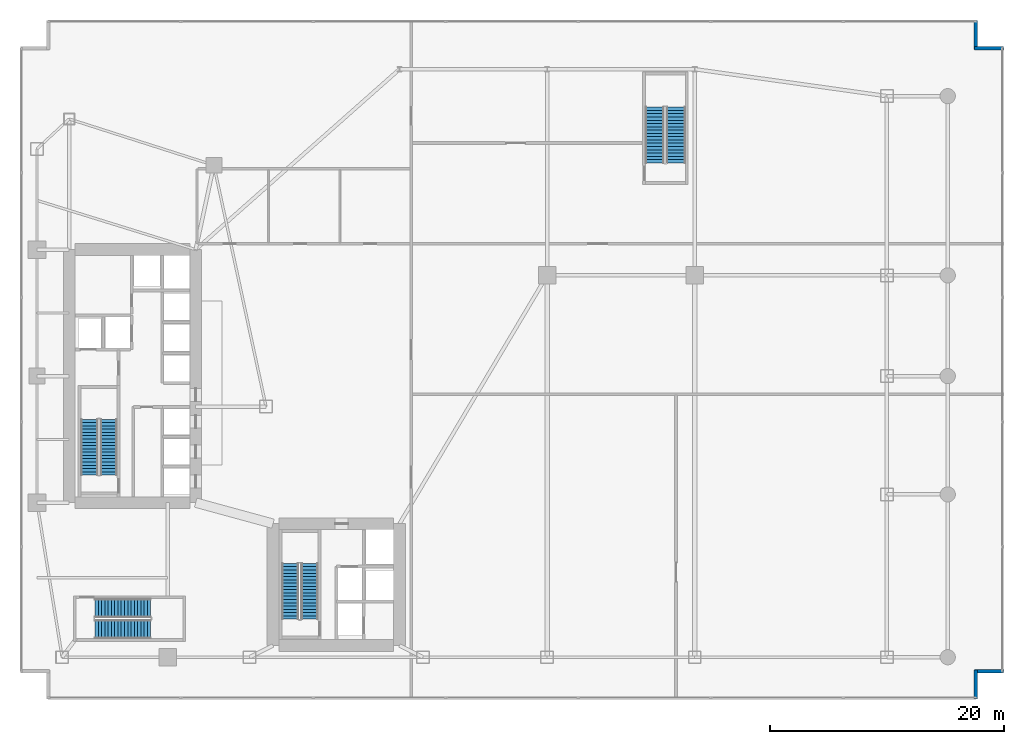
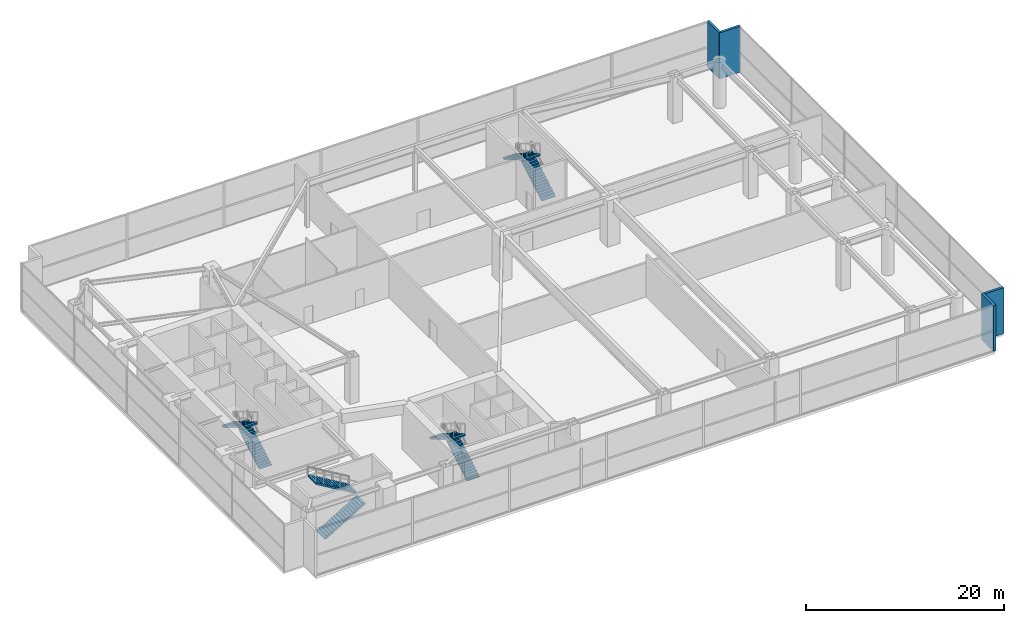
# One storey, part 33 of 35: 8 stair flights, 4 walls, 4 elements without a shape of their own.
"""IFC4 building model written with IfcOpenShell, lengths in metres."""

import ifcopenshell
import ifcopenshell.guid

model = None  # the IFC model being written
_history = None  # IfcOwnerHistory: only IFC2X3 demands one
_inside = {}  # id of a spatial element -> (the spatial element, [elements in it])
_under = {}  # id of a project, library or spatial element -> (it, [spatial elements below it])
_declared = {}  # id of a project -> (the project, [libraries it declares])
_typed = {}  # id of a type object -> (the type object, [elements of that type])
_made_of = {}  # id of a material, layer set ... -> (it, [elements and type objects made of it])


def new_model(schema):
    """Start an empty IFC model of exactly this schema.

    Asked for "IFC4X3", IfcOpenShell would pick the latest addendum, in which some entities
    have other attributes; the version numbers below select the first issue.
    IFC2X3 requires an IfcOwnerHistory on every rooted entity: one is made here for all.
    """
    global model, _history
    if schema == "IFC4X3":
        model = ifcopenshell.file(schema_version=(4, 3, 0, 0))
    else:
        model = ifcopenshell.file(schema=schema)
    _inside.clear()
    _under.clear()
    _declared.clear()
    _typed.clear()
    _made_of.clear()
    _history = None
    if model.schema == "IFC2X3":
        org = make("IfcOrganization", Name="unknown")
        user = make(
            "IfcPersonAndOrganization",
            ThePerson=make("IfcPerson", FamilyName="unknown"),
            TheOrganization=org,
        )
        app = make(
            "IfcApplication",
            ApplicationDeveloper=org,
            Version="unknown",
            ApplicationFullName="unknown",
            ApplicationIdentifier="unknown",
        )
        _history = make(
            "IfcOwnerHistory",
            OwningUser=user,
            OwningApplication=app,
            ChangeAction="ADDED",
            CreationDate=0,
        )
    return model


def make(cls, **values):
    """One entity of the class cls with the attributes given. An attribute that is None is left unset."""
    return model.create_entity(
        cls, **{name: value for name, value in values.items() if value is not None}
    )


def rooted(cls, **values):
    """An entity with a GlobalId (a new one), such as an element, a storey or a relation."""
    return make(cls, GlobalId=ifcopenshell.guid.new(), OwnerHistory=_history, **values)


def si_unit(unit_type, name, prefix=None):
    """IfcSIUnit, for example si_unit("LENGTHUNIT", "METRE", prefix="MILLI")."""
    return make("IfcSIUnit", UnitType=unit_type, Prefix=prefix, Name=name)


def assignment(units):
    """IfcUnitAssignment: the units of a project."""
    return None if units is None else make("IfcUnitAssignment", Units=units)


def point(xyz):
    """IfcCartesianPoint."""
    return None if xyz is None else make("IfcCartesianPoint", Coordinates=xyz)


def direction(xyz):
    """IfcDirection."""
    return None if xyz is None else make("IfcDirection", DirectionRatios=xyz)


def frame(location, z_axis=None, x_axis=None):
    """IfcAxis2Placement3D, a coordinate frame: its origin and axes. An axis left out is left unset."""
    return make(
        "IfcAxis2Placement3D",
        Location=point(location),
        Axis=direction(z_axis),
        RefDirection=direction(x_axis),
    )


def frame_2d(location, x_axis=None):
    """IfcAxis2Placement2D, a coordinate frame in the plane: its origin and x axis."""
    return make(
        "IfcAxis2Placement2D", Location=point(location), RefDirection=direction(x_axis)
    )


def origin():
    """The frame at (0, 0, 0) with its axes left unset."""
    return frame((0.0, 0.0, 0.0))


def place(relative_to, where):
    """IfcLocalPlacement: puts the frame where relative to a parent placement (None: the world)."""
    return make(
        "IfcLocalPlacement", PlacementRelTo=relative_to, RelativePlacement=where
    )


def context(
    kind, dimensions, precision=None, world=None, true_north=None, identifier=None
):
    """IfcGeometricRepresentationContext, for example the 3D "Model" context."""
    return make(
        "IfcGeometricRepresentationContext",
        ContextIdentifier=identifier,
        ContextType=kind,
        CoordinateSpaceDimension=dimensions,
        Precision=precision,
        WorldCoordinateSystem=world,
        TrueNorth=true_north,
    )


def subcontext(parent, identifier, kind, view, scale=None):
    """IfcGeometricRepresentationSubContext, for example "Body" below "Model"."""
    return make(
        "IfcGeometricRepresentationSubContext",
        ContextIdentifier=identifier,
        ContextType=kind,
        ParentContext=parent,
        TargetScale=scale,
        TargetView=view,
    )


def project(units=None, contexts=None):
    """IfcProject with its units and contexts."""
    return rooted(
        "IfcProject",
        Name="project",
        RepresentationContexts=contexts,
        UnitsInContext=assignment(units),
    )


def spatial(cls, under=None, at=None, **own):
    """A site, building, storey or space (cls), placed at a placement, below another one or the project."""
    s = rooted(cls, ObjectPlacement=at, **own)
    if under is not None:
        _under.setdefault(under.id(), (under, []))[1].append(s)
    return s


def polyline(points):
    """IfcPolyline through the points."""
    return make("IfcPolyline", Points=[point(p) for p in points])


def profile(cls, at=None, kind="AREA", **sizes):
    """A parametric profile (cls). Its sizes go by their IFC names, for example OverallWidth=200.0."""
    return make(cls, ProfileType=kind, Position=at, **sizes)


def rectangle(**sizes):
    """IfcRectangleProfileDef."""
    return profile("IfcRectangleProfileDef", **sizes)


def outline(outer, holes=None, kind="AREA"):
    """IfcArbitraryClosedProfileDef: a profile drawn as a closed curve; with holes, ...WithVoids."""
    if holes is None:
        return make("IfcArbitraryClosedProfileDef", ProfileType=kind, OuterCurve=outer)
    return make(
        "IfcArbitraryProfileDefWithVoids",
        ProfileType=kind,
        OuterCurve=outer,
        InnerCurves=holes,
    )


def extrude(swept, where, along, depth):
    """IfcExtrudedAreaSolid: the profile swept, set in the frame where, extruded along a direction by depth."""
    return make(
        "IfcExtrudedAreaSolid",
        SweptArea=swept,
        Position=where,
        ExtrudedDirection=direction(along),
        Depth=depth,
    )


def shape(context_of_items, identifier, shape_type, items):
    """IfcShapeRepresentation: the items that make up one representation, for example the "Body"."""
    return make(
        "IfcShapeRepresentation",
        ContextOfItems=context_of_items,
        RepresentationIdentifier=identifier,
        RepresentationType=shape_type,
        Items=items,
    )


def material(Name=None, Category=None):
    """IfcMaterial."""
    return make("IfcMaterial", Name=Name, Category=Category)


def layer(
    of_material, thickness, ventilated=None, Name=None, Category=None, Priority=None
):
    """IfcMaterialLayer: one layer of a wall or slab, of a material (None: an air gap)."""
    return make(
        "IfcMaterialLayer",
        Material=of_material,
        LayerThickness=thickness,
        IsVentilated=ventilated,
        Name=Name,
        Category=Category,
        Priority=Priority,
    )


def layer_set(layers, Name=None):
    """IfcMaterialLayerSet."""
    return make("IfcMaterialLayerSet", MaterialLayers=layers, LayerSetName=Name)


def made_of(thing, what):
    """Note that an element or type object is made of a material, layer set ...; save() writes the relation."""
    if what is not None:
        _made_of.setdefault(what.id(), (what, []))[1].append(thing)
    return thing


def type_object(cls, material=None, **own):
    """A type object (cls), such as IfcWallType, which elements share."""
    return made_of(rooted(cls, **own), material)


def element(
    cls,
    number,
    at=None,
    inside=None,
    cuts=None,
    type_object=None,
    material=None,
    context=None,
    identifier="Body",
    shape_type=None,
    held_by="IfcProductDefinitionShape",
    body=None,
    shapes=None,
    **own,
):
    """One element of the class cls, such as IfcWall. Its Tag is "e" and its number.

    at: its placement. inside: the storey or other place that contains it. cuts: it is an
    opening in that element (IfcRelVoidsElement). A single representation is given by context,
    identifier, shape_type and body (its items); several are given by shapes. held_by: the class
    of the entity that holds the representations. save() writes the other relations.
    """
    e = rooted(cls, Tag="e%d" % number, ObjectPlacement=at, **own)
    if body is not None:
        shapes = [shape(context, identifier, shape_type, body)]
    if shapes is not None:
        e.Representation = make(held_by, Representations=shapes)
    if inside is not None:
        _inside.setdefault(inside.id(), (inside, []))[1].append(e)
    if cuts is not None:
        rooted(
            "IfcRelVoidsElement", RelatingBuildingElement=cuts, RelatedOpeningElement=e
        )
    if type_object is not None:
        _typed.setdefault(type_object.id(), (type_object, []))[1].append(e)
    return made_of(e, material)


def aggregate(whole, parts):
    """IfcRelAggregates: a whole, such as a stair, and the parts it consists of."""
    return rooted("IfcRelAggregates", RelatingObject=whole, RelatedObjects=parts)


def save(model, path):
    """Write the relations noted so far, then the file.

    IfcRelAggregates (storeys below a building ...), IfcRelContainedInSpatialStructure (elements
    in a storey), IfcRelDefinesByType, IfcRelAssociatesMaterial and IfcRelDeclares: one each for
    every whole, place, type object, material and project.
    """
    for whole, parts in _under.values():
        aggregate(whole, parts)
    for where, things in _inside.values():
        rooted(
            "IfcRelContainedInSpatialStructure",
            RelatedElements=things,
            RelatingStructure=where,
        )
    for kind, things in _typed.values():
        rooted("IfcRelDefinesByType", RelatedObjects=things, RelatingType=kind)
    for what, things in _made_of.values():
        rooted("IfcRelAssociatesMaterial", RelatedObjects=things, RelatingMaterial=what)
    for by, libraries in _declared.values():
        rooted("IfcRelDeclares", RelatingContext=by, RelatedDefinitions=libraries)
    model.write(path)


model = new_model("IFC4")

# Units and contexts
model_context = context("Model", 3, precision=1e-05, world=origin(), true_north=direction((0.0, 1.0)))
body_context = subcontext(model_context, "Body", "Model", "MODEL_VIEW")
ifc_project = project(units=[si_unit("LENGTHUNIT", "METRE"), si_unit("AREAUNIT", "SQUARE_METRE"), si_unit("VOLUMEUNIT", "CUBIC_METRE"), si_unit("PLANEANGLEUNIT", "RADIAN"), si_unit("MASSUNIT", "GRAM", prefix="KILO")], contexts=[model_context])

# Site, building, storey
site_placement = place(None, origin())
site = spatial("IfcSite", under=ifc_project, at=site_placement, CompositionType="ELEMENT")
building_placement = place(site_placement, origin())
building = spatial("IfcBuilding", under=site, at=building_placement, Name="Calvorn Quay Hotel", CompositionType="ELEMENT")
storey_placement = place(building_placement, frame((0.0, 0.0, 6.0)))
storey = spatial("IfcBuildingStorey", under=building, at=storey_placement, Name="L01", CompositionType="ELEMENT", Elevation=6.0)

# Walls
ifc_material_1 = material(Name="Concrete C40", Category="concrete")
ifc_layer = layer(ifc_material_1, 0.320068359375)
ifc_layer_set = layer_set([ifc_layer], Name="WL-EXT-SPANDREL-320")
wall_type = type_object("IfcWallType", Name="WL-EXT-SPANDREL-320", PredefinedType="SOLIDWALL", material=ifc_layer_set)
for number, where, z_axis, x_axis, name in (
    (1, (81.60009765625, 0.0400390625, 0.0), (0.0, 0.0, 1.0), (0.0, 1.0, 0.0), "Podium Notched Corner Wall L01-SE1"),
    (2, (81.5, 2.39990234375, 0.0), (0.0, 0.0, 1.0), (1.0, 0.0, 0.0), "Podium Notched Corner Wall L01-SE2"),
    (3, (83.9599609375, 55.60009765625, 0.0), (0.0, 0.0, 1.0), (-1.0, 0.0, 0.0), "Podium Notched Corner Wall L01-NE1"),
    (4, (81.60009765625, 55.5, 0.0), (0.0, 0.0, 1.0), (0.0, 1.0, 0.0), "Podium Notched Corner Wall L01-NE2"),
):
    element("IfcWall", number, at=place(storey_placement, frame(where, z_axis=z_axis, x_axis=x_axis)), inside=storey, type_object=wall_type, Name=name, PredefinedType="SOLIDWALL", context=body_context, shape_type="SweptSolid", body=[
        extrude(rectangle(XDim=2.4599609375, YDim=0.280029296875, at=frame_2d((1.22998046875, 0.0))), origin(), (0.0, 0.0, 1.0), 5.679931640625),
    ])

# Stair, stair flights
ifc_material_2 = material(Name="Concrete C40", Category="concrete")
stair_type_1 = type_object("IfcStairType", Name="STR-CORE-DOGLEG", PredefinedType="HALF_TURN_STAIR", material=ifc_material_2)
stair_1_placement = place(storey_placement, origin())
stair_1 = element("IfcStair", 5, at=stair_1_placement, inside=storey, type_object=stair_type_1, Name="L01 ST-W", PredefinedType="HALF_TURN_STAIR")
ifc_material_3 = material(Name="Concrete C40", Category="concrete")
stair_flight_type_1 = type_object("IfcStairFlightType", Name="FLT-CORE-1550", PredefinedType="STRAIGHT", material=ifc_material_3)
stair_flight_1_placement = place(storey_placement, frame((7.574951171875, 19.14990234375, 0.0), z_axis=(0.0, 0.0, 1.0), x_axis=(0.0, 1.0, 0.0)))
stair_flight_1 = element("IfcStairFlight", 6, at=stair_flight_1_placement, type_object=stair_flight_type_1, Name="ST-W flight 1", NumberOfRisers=18, NumberOfTreads=17, PredefinedType="STRAIGHT", RiserHeight=0.166666667, TreadLength=0.28, context=body_context, shape_type="SweptSolid", body=[
    extrude(outline(polyline([(0.0, 0.0), (0.0, 0.166748046875), (0.280029296875, 0.166748046875), (0.280029296875, 0.333251953125), (0.56005859375, 0.333251953125), (0.56005859375, 0.5), (0.840087890625, 0.5), (0.840087890625, 0.666748046875), (1.1201171875, 0.666748046875), (1.1201171875, 0.833251953125), (1.39990234375, 0.833251953125), (1.39990234375, 1.0), (1.679931640625, 1.0), (1.679931640625, 1.166748046875), (1.9599609375, 1.166748046875), (1.9599609375, 1.333251953125), (2.239990234375, 1.333251953125), (2.239990234375, 1.5), (2.52001953125, 1.5), (2.52001953125, 1.666748046875), (2.800048828125, 1.666748046875), (2.800048828125, 1.833251953125), (3.080078125, 1.833251953125), (3.080078125, 2.0), (3.360107421875, 2.0), (3.360107421875, 2.166748046875), (3.639892578125, 2.166748046875), (3.639892578125, 2.333251953125), (3.919921875, 2.333251953125), (3.919921875, 2.5), (4.199951171875, 2.5), (4.199951171875, 2.666748046875), (4.47998046875, 2.666748046875), (4.47998046875, 2.833251953125), (4.760009765625, 2.833251953125), (4.760009765625, 3.0), (4.760009765625, 2.658935546875), (0.29296875, 0.0), (0.0, 0.0)])), frame((0.0, 0.72509765625, 0.0), z_axis=(0.0, -1.0, 0.0), x_axis=(1.0, 0.0, 0.0)), (0.0, 0.0, 1.0), 1.449951171875),
])
stair_flight_2_placement = place(storey_placement, frame((5.925048828125, 23.909912109375, 3.0), z_axis=(0.0, 0.0, 1.0), x_axis=(0.0, -1.0, 0.0)))
stair_flight_2 = element("IfcStairFlight", 7, at=stair_flight_2_placement, type_object=stair_flight_type_1, Name="ST-W flight 2", NumberOfRisers=18, NumberOfTreads=17, PredefinedType="STRAIGHT", RiserHeight=0.166666667, TreadLength=0.28, context=body_context, shape_type="SweptSolid", body=[
    extrude(outline(polyline([(0.0, 0.0), (0.0, 0.166748046875), (0.280029296875, 0.166748046875), (0.280029296875, 0.333251953125), (0.56005859375, 0.333251953125), (0.56005859375, 0.5), (0.840087890625, 0.5), (0.840087890625, 0.666748046875), (1.1201171875, 0.666748046875), (1.1201171875, 0.833251953125), (1.39990234375, 0.833251953125), (1.39990234375, 1.0), (1.679931640625, 1.0), (1.679931640625, 1.166748046875), (1.9599609375, 1.166748046875), (1.9599609375, 1.333251953125), (2.239990234375, 1.333251953125), (2.239990234375, 1.5), (2.52001953125, 1.5), (2.52001953125, 1.666748046875), (2.800048828125, 1.666748046875), (2.800048828125, 1.833251953125), (3.080078125, 1.833251953125), (3.080078125, 2.0), (3.360107421875, 2.0), (3.360107421875, 2.166748046875), (3.639892578125, 2.166748046875), (3.639892578125, 2.333251953125), (3.919921875, 2.333251953125), (3.919921875, 2.5), (4.199951171875, 2.5), (4.199951171875, 2.666748046875), (4.47998046875, 2.666748046875), (4.47998046875, 2.833251953125), (4.760009765625, 2.833251953125), (4.760009765625, 3.0), (4.760009765625, 2.658935546875), (0.29296875, 0.0), (0.0, 0.0)])), frame((0.0, 0.72509765625, 0.0), z_axis=(0.0, -1.0, 0.0), x_axis=(1.0, 0.0, 0.0)), (0.0, 0.0, 1.0), 1.449951171875),
])
aggregate(stair_1, [stair_flight_1, stair_flight_2])

stair_2_placement = place(storey_placement, origin())
stair_2 = element("IfcStair", 8, at=stair_2_placement, inside=storey, type_object=stair_type_1, Name="L01 ST-E", PredefinedType="HALF_TURN_STAIR")
stair_flight_3_placement = place(storey_placement, frame((24.72509765625, 6.85009765625, 0.0), z_axis=(0.0, 0.0, 1.0), x_axis=(0.0, 1.0, 0.0)))
stair_flight_3 = element("IfcStairFlight", 9, at=stair_flight_3_placement, type_object=stair_flight_type_1, Name="ST-E flight 1", NumberOfRisers=18, NumberOfTreads=17, PredefinedType="STRAIGHT", RiserHeight=0.166666667, TreadLength=0.28, context=body_context, shape_type="SweptSolid", body=[
    extrude(outline(polyline([(0.0, 0.0), (0.0, 0.166748046875), (0.280029296875, 0.166748046875), (0.280029296875, 0.333251953125), (0.56005859375, 0.333251953125), (0.56005859375, 0.5), (0.840087890625, 0.5), (0.840087890625, 0.666748046875), (1.1201171875, 0.666748046875), (1.1201171875, 0.833251953125), (1.39990234375, 0.833251953125), (1.39990234375, 1.0), (1.679931640625, 1.0), (1.679931640625, 1.166748046875), (1.9599609375, 1.166748046875), (1.9599609375, 1.333251953125), (2.239990234375, 1.333251953125), (2.239990234375, 1.5), (2.52001953125, 1.5), (2.52001953125, 1.666748046875), (2.800048828125, 1.666748046875), (2.800048828125, 1.833251953125), (3.080078125, 1.833251953125), (3.080078125, 2.0), (3.360107421875, 2.0), (3.360107421875, 2.166748046875), (3.639892578125, 2.166748046875), (3.639892578125, 2.333251953125), (3.919921875, 2.333251953125), (3.919921875, 2.5), (4.199951171875, 2.5), (4.199951171875, 2.666748046875), (4.47998046875, 2.666748046875), (4.47998046875, 2.833251953125), (4.760009765625, 2.833251953125), (4.760009765625, 3.0), (4.760009765625, 2.658935546875), (0.29296875, 0.0), (0.0, 0.0)])), frame((0.0, 0.72509765625, 0.0), z_axis=(0.0, -1.0, 0.0), x_axis=(1.0, 0.0, 0.0)), (0.0, 0.0, 1.0), 1.449951171875),
])
stair_flight_4_placement = place(storey_placement, frame((23.074951171875, 11.610107421875, 3.0), z_axis=(0.0, 0.0, 1.0), x_axis=(0.0, -1.0, 0.0)))
stair_flight_4 = element("IfcStairFlight", 10, at=stair_flight_4_placement, type_object=stair_flight_type_1, Name="ST-E flight 2", NumberOfRisers=18, NumberOfTreads=17, PredefinedType="STRAIGHT", RiserHeight=0.166666667, TreadLength=0.28, context=body_context, shape_type="SweptSolid", body=[
    extrude(outline(polyline([(0.0, 0.0), (0.0, 0.166748046875), (0.280029296875, 0.166748046875), (0.280029296875, 0.333251953125), (0.56005859375, 0.333251953125), (0.56005859375, 0.5), (0.840087890625, 0.5), (0.840087890625, 0.666748046875), (1.1201171875, 0.666748046875), (1.1201171875, 0.833251953125), (1.39990234375, 0.833251953125), (1.39990234375, 1.0), (1.679931640625, 1.0), (1.679931640625, 1.166748046875), (1.9599609375, 1.166748046875), (1.9599609375, 1.333251953125), (2.239990234375, 1.333251953125), (2.239990234375, 1.5), (2.52001953125, 1.5), (2.52001953125, 1.666748046875), (2.800048828125, 1.666748046875), (2.800048828125, 1.833251953125), (3.080078125, 1.833251953125), (3.080078125, 2.0), (3.360107421875, 2.0), (3.360107421875, 2.166748046875), (3.639892578125, 2.166748046875), (3.639892578125, 2.333251953125), (3.919921875, 2.333251953125), (3.919921875, 2.5), (4.199951171875, 2.5), (4.199951171875, 2.666748046875), (4.47998046875, 2.666748046875), (4.47998046875, 2.833251953125), (4.760009765625, 2.833251953125), (4.760009765625, 3.0), (4.760009765625, 2.658935546875), (0.29296875, 0.0), (0.0, 0.0)])), frame((0.0, 0.72509765625, 0.0), z_axis=(0.0, -1.0, 0.0), x_axis=(1.0, 0.0, 0.0)), (0.0, 0.0, 1.0), 1.449951171875),
])
aggregate(stair_2, [stair_flight_3, stair_flight_4])

ifc_material_4 = material(Name="Concrete C40", Category="concrete")
stair_type_2 = type_object("IfcStairType", Name="STR-POD-DOGLEG", PredefinedType="TWO_QUARTER_TURN_STAIR", material=ifc_material_4)
stair_3_placement = place(storey_placement, origin())
stair_3 = element("IfcStair", 11, at=stair_3_placement, inside=storey, type_object=stair_type_2, Name="L01 ST-P1", PredefinedType="TWO_QUARTER_TURN_STAIR")
ifc_material_5 = material(Name="Concrete C40", Category="concrete")
stair_flight_type_2 = type_object("IfcStairFlightType", Name="FLT-POD-1750", PredefinedType="STRAIGHT", material=ifc_material_5)
stair_flight_5_placement = place(storey_placement, frame((56.0, 45.800048828125, 0.0), z_axis=(0.0, 0.0, 1.0), x_axis=(0.0, 1.0, 0.0)))
stair_flight_5 = element("IfcStairFlight", 12, at=stair_flight_5_placement, type_object=stair_flight_type_2, Name="ST-P1 flight 1", NumberOfRisers=18, NumberOfTreads=17, PredefinedType="STRAIGHT", RiserHeight=0.166666667, TreadLength=0.28, context=body_context, shape_type="SweptSolid", body=[
    extrude(outline(polyline([(0.0, 0.0), (0.0, 0.166748046875), (0.280029296875, 0.166748046875), (0.280029296875, 0.333251953125), (0.56005859375, 0.333251953125), (0.56005859375, 0.5), (0.840087890625, 0.5), (0.840087890625, 0.666748046875), (1.1201171875, 0.666748046875), (1.1201171875, 0.833251953125), (1.39990234375, 0.833251953125), (1.39990234375, 1.0), (1.679931640625, 1.0), (1.679931640625, 1.166748046875), (1.9599609375, 1.166748046875), (1.9599609375, 1.333251953125), (2.239990234375, 1.333251953125), (2.239990234375, 1.5), (2.52001953125, 1.5), (2.52001953125, 1.666748046875), (2.800048828125, 1.666748046875), (2.800048828125, 1.833251953125), (3.080078125, 1.833251953125), (3.080078125, 2.0), (3.360107421875, 2.0), (3.360107421875, 2.166748046875), (3.639892578125, 2.166748046875), (3.639892578125, 2.333251953125), (3.919921875, 2.333251953125), (3.919921875, 2.5), (4.199951171875, 2.5), (4.199951171875, 2.666748046875), (4.47998046875, 2.666748046875), (4.47998046875, 2.833251953125), (4.760009765625, 2.833251953125), (4.760009765625, 3.0), (4.760009765625, 2.658935546875), (0.29296875, 0.0), (0.0, 0.0)])), frame((0.0, 0.800048828125, 0.0), z_axis=(0.0, -1.0, 0.0), x_axis=(1.0, 0.0, 0.0)), (0.0, 0.0, 1.0), 1.60009765625),
])
stair_flight_6_placement = place(storey_placement, frame((54.199951171875, 50.56005859375, 3.0), z_axis=(0.0, 0.0, 1.0), x_axis=(0.0, -1.0, 0.0)))
stair_flight_6 = element("IfcStairFlight", 13, at=stair_flight_6_placement, type_object=stair_flight_type_2, Name="ST-P1 flight 2", NumberOfRisers=18, NumberOfTreads=17, PredefinedType="STRAIGHT", RiserHeight=0.166666667, TreadLength=0.28, context=body_context, shape_type="SweptSolid", body=[
    extrude(outline(polyline([(0.0, 0.0), (0.0, 0.166748046875), (0.280029296875, 0.166748046875), (0.280029296875, 0.333251953125), (0.56005859375, 0.333251953125), (0.56005859375, 0.5), (0.840087890625, 0.5), (0.840087890625, 0.666748046875), (1.1201171875, 0.666748046875), (1.1201171875, 0.833251953125), (1.39990234375, 0.833251953125), (1.39990234375, 1.0), (1.679931640625, 1.0), (1.679931640625, 1.166748046875), (1.9599609375, 1.166748046875), (1.9599609375, 1.333251953125), (2.239990234375, 1.333251953125), (2.239990234375, 1.5), (2.52001953125, 1.5), (2.52001953125, 1.666748046875), (2.800048828125, 1.666748046875), (2.800048828125, 1.833251953125), (3.080078125, 1.833251953125), (3.080078125, 2.0), (3.360107421875, 2.0), (3.360107421875, 2.166748046875), (3.639892578125, 2.166748046875), (3.639892578125, 2.333251953125), (3.919921875, 2.333251953125), (3.919921875, 2.5), (4.199951171875, 2.5), (4.199951171875, 2.666748046875), (4.47998046875, 2.666748046875), (4.47998046875, 2.833251953125), (4.760009765625, 2.833251953125), (4.760009765625, 3.0), (4.760009765625, 2.658935546875), (0.29296875, 0.0), (0.0, 0.0)])), frame((0.0, 0.800048828125, 0.0), z_axis=(0.0, -1.0, 0.0), x_axis=(1.0, 0.0, 0.0)), (0.0, 0.0, 1.0), 1.60009765625),
])
aggregate(stair_3, [stair_flight_5, stair_flight_6])

stair_4_placement = place(storey_placement, origin())
stair_4 = element("IfcStair", 14, at=stair_4_placement, inside=storey, type_object=stair_type_2, Name="L01 ST-P2", PredefinedType="TWO_QUARTER_TURN_STAIR")
stair_flight_7_placement = place(storey_placement, frame((6.39990234375, 6.0, 0.0), z_axis=(0.0, 0.0, 1.0), x_axis=(1.0, 0.0, 0.0)))
stair_flight_7 = element("IfcStairFlight", 15, at=stair_flight_7_placement, type_object=stair_flight_type_2, Name="ST-P2 flight 1", NumberOfRisers=18, NumberOfTreads=17, PredefinedType="STRAIGHT", RiserHeight=0.166666667, TreadLength=0.28, context=body_context, shape_type="SweptSolid", body=[
    extrude(outline(polyline([(0.0, 0.0), (0.0, 0.166748046875), (0.280029296875, 0.166748046875), (0.280029296875, 0.333251953125), (0.56005859375, 0.333251953125), (0.56005859375, 0.5), (0.840087890625, 0.5), (0.840087890625, 0.666748046875), (1.1201171875, 0.666748046875), (1.1201171875, 0.833251953125), (1.39990234375, 0.833251953125), (1.39990234375, 1.0), (1.679931640625, 1.0), (1.679931640625, 1.166748046875), (1.9599609375, 1.166748046875), (1.9599609375, 1.333251953125), (2.239990234375, 1.333251953125), (2.239990234375, 1.5), (2.52001953125, 1.5), (2.52001953125, 1.666748046875), (2.800048828125, 1.666748046875), (2.800048828125, 1.833251953125), (3.080078125, 1.833251953125), (3.080078125, 2.0), (3.360107421875, 2.0), (3.360107421875, 2.166748046875), (3.639892578125, 2.166748046875), (3.639892578125, 2.333251953125), (3.919921875, 2.333251953125), (3.919921875, 2.5), (4.199951171875, 2.5), (4.199951171875, 2.666748046875), (4.47998046875, 2.666748046875), (4.47998046875, 2.833251953125), (4.760009765625, 2.833251953125), (4.760009765625, 3.0), (4.760009765625, 2.658935546875), (0.29296875, 0.0), (0.0, 0.0)])), frame((0.0, 0.800048828125, 0.0), z_axis=(0.0, -1.0, 0.0), x_axis=(1.0, 0.0, 0.0)), (0.0, 0.0, 1.0), 1.60009765625),
])
stair_flight_8_placement = place(storey_placement, frame((11.159912109375, 7.800048828125, 3.0), z_axis=(0.0, 0.0, 1.0), x_axis=(-1.0, 0.0, 0.0)))
stair_flight_8 = element("IfcStairFlight", 16, at=stair_flight_8_placement, type_object=stair_flight_type_2, Name="ST-P2 flight 2", NumberOfRisers=18, NumberOfTreads=17, PredefinedType="STRAIGHT", RiserHeight=0.166666667, TreadLength=0.28, context=body_context, shape_type="SweptSolid", body=[
    extrude(outline(polyline([(0.0, 0.0), (0.0, 0.166748046875), (0.280029296875, 0.166748046875), (0.280029296875, 0.333251953125), (0.56005859375, 0.333251953125), (0.56005859375, 0.5), (0.840087890625, 0.5), (0.840087890625, 0.666748046875), (1.1201171875, 0.666748046875), (1.1201171875, 0.833251953125), (1.39990234375, 0.833251953125), (1.39990234375, 1.0), (1.679931640625, 1.0), (1.679931640625, 1.166748046875), (1.9599609375, 1.166748046875), (1.9599609375, 1.333251953125), (2.239990234375, 1.333251953125), (2.239990234375, 1.5), (2.52001953125, 1.5), (2.52001953125, 1.666748046875), (2.800048828125, 1.666748046875), (2.800048828125, 1.833251953125), (3.080078125, 1.833251953125), (3.080078125, 2.0), (3.360107421875, 2.0), (3.360107421875, 2.166748046875), (3.639892578125, 2.166748046875), (3.639892578125, 2.333251953125), (3.919921875, 2.333251953125), (3.919921875, 2.5), (4.199951171875, 2.5), (4.199951171875, 2.666748046875), (4.47998046875, 2.666748046875), (4.47998046875, 2.833251953125), (4.760009765625, 2.833251953125), (4.760009765625, 3.0), (4.760009765625, 2.658935546875), (0.29296875, 0.0), (0.0, 0.0)])), frame((0.0, 0.800048828125, 0.0), z_axis=(0.0, -1.0, 0.0), x_axis=(1.0, 0.0, 0.0)), (0.0, 0.0, 1.0), 1.60009765625),
])
aggregate(stair_4, [stair_flight_7, stair_flight_8])

save(model, "model.ifc")
